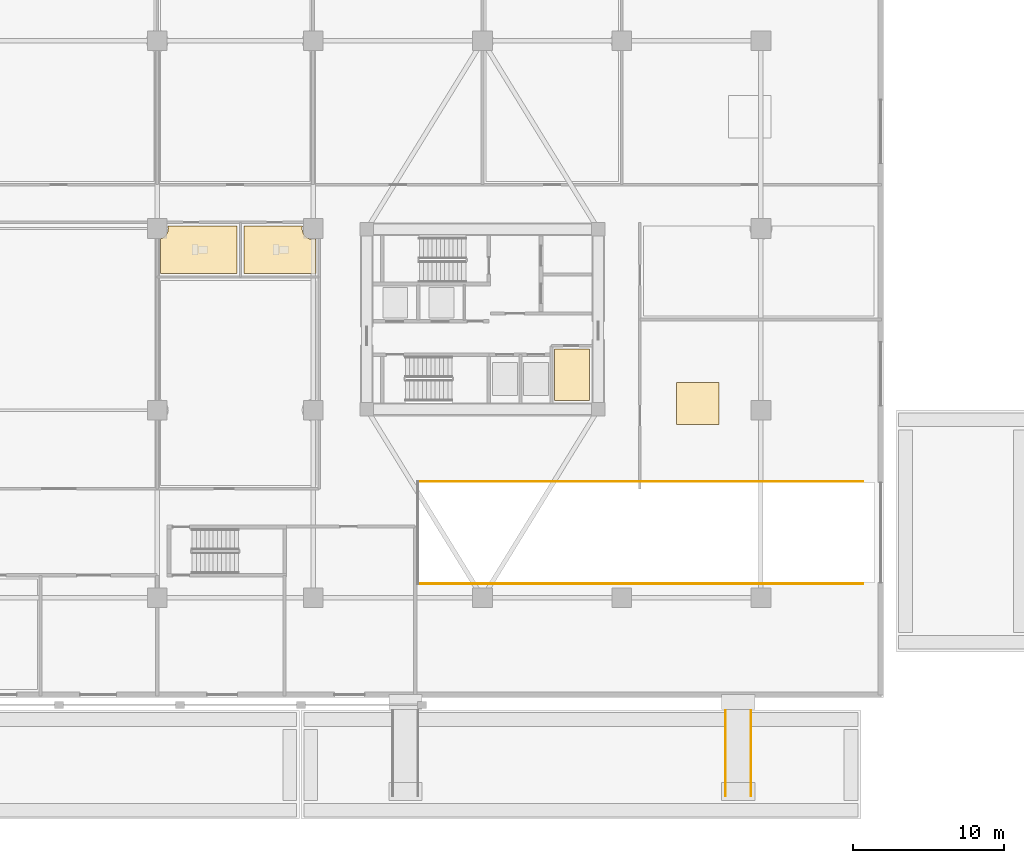
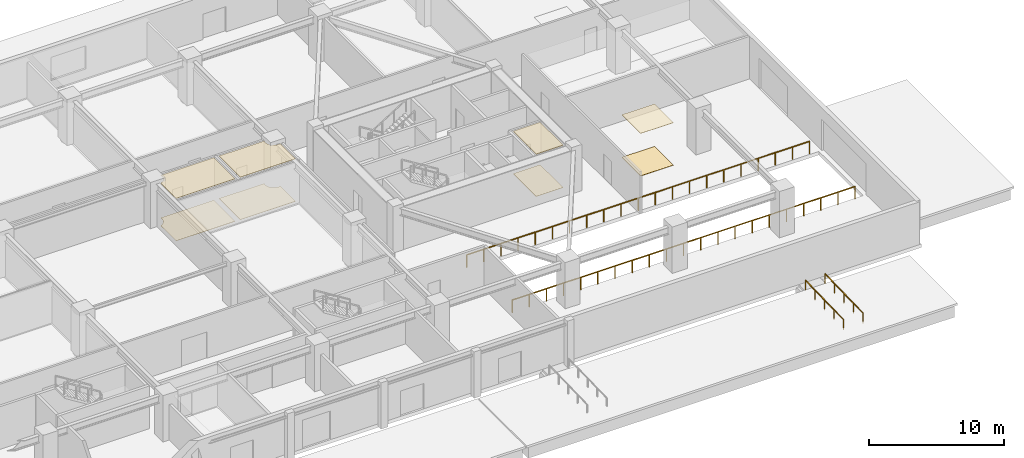
# One storey, part 18 of 22: 8 coverings, 4 railings.
"""IFC4 building model written with IfcOpenShell, lengths in metres."""

from ifc_helpers import new_model, si_unit, direction, frame, origin, origin_2d, place, context, subcontext, project, spatial, polyline, rectangle, outline, extrude, material, layer, layer_set, type_object, element, save


model = new_model("IFC4")

# Units and contexts
model_context = context("Model", 3, precision=1e-05, world=origin(), true_north=direction((0.0, 1.0)))
body_context = subcontext(model_context, "Body", "Model", "MODEL_VIEW")
ifc_project = project(units=[si_unit("LENGTHUNIT", "METRE"), si_unit("AREAUNIT", "SQUARE_METRE"), si_unit("VOLUMEUNIT", "CUBIC_METRE"), si_unit("PLANEANGLEUNIT", "RADIAN"), si_unit("MASSUNIT", "GRAM", prefix="KILO")], contexts=[model_context])

# Site, building, storey
site_placement = place(None, origin())
site = spatial("IfcSite", under=ifc_project, at=site_placement, CompositionType="ELEMENT")
building_placement = place(site_placement, origin())
building = spatial("IfcBuilding", under=site, at=building_placement, Name="Norrkilde Senior Care Towers", CompositionType="ELEMENT")
storey_placement = place(building_placement, origin())
storey = spatial("IfcBuildingStorey", under=building, at=storey_placement, Name="L00", CompositionType="ELEMENT", Elevation=0.0)

# Coverings
ifc_material_1 = material(Name="Nordic Ash Timber", Category="wood")
ifc_layer_1 = layer(ifc_material_1, 0.044921875)
ifc_layer_set_1 = layer_set([ifc_layer_1], Name="Nordic Ash Timber")
covering_type_1 = type_object("IfcCoveringType", Name="Acoustic Ash Timber Slatted Ceiling 45", PredefinedType="CEILING", material=ifc_layer_set_1)
covering_1_placement = place(storey_placement, frame((0.0, 0.0, 3.8349609375)))
element("IfcCovering", 1, at=covering_1_placement, inside=storey, type_object=covering_type_1, Name="L00 Suspended Ceiling 0002", PredefinedType="CEILING", context=body_context, shape_type="SweptSolid", body=[
    extrude(outline(polyline([(35.080078125, -1.969970703125), (35.080078125, -5.3798828125), (32.77001953125, -5.3798828125), (32.77001953125, -1.969970703125), (35.080078125, -1.969970703125)])), origin(), (0.0, 0.0, 1.0), 0.044921875),
])
ifc_material_2 = material(Name="Gypsum Acoustic Board")
ifc_layer_2 = layer(ifc_material_2, 0.030029296875)
ifc_layer_set_2 = layer_set([ifc_layer_2], Name="Gypsum Acoustic Board")
covering_type_2 = type_object("IfcCoveringType", Name="Medical Cleanable Gypsum Ceiling 30", PredefinedType="CEILING", material=ifc_layer_set_2)
covering_2_placement = place(storey_placement, frame((0.0, 0.0, 3.85009765625)))
element("IfcCovering", 2, at=covering_2_placement, inside=storey, type_object=covering_type_2, Name="L00 Suspended Ceiling 0005", PredefinedType="CEILING", context=body_context, shape_type="SweptSolid", body=[
    extrude(outline(polyline([(40.822998046875, -6.95947265625), (40.822998046875, -4.159423828125), (43.622802734375, -4.159423828125), (43.622802734375, -6.95947265625), (40.822998046875, -6.95947265625)])), origin(), (0.0, 0.0, 1.0), 0.02978515625),
])
covering_3_placement = place(storey_placement, frame((0.0, 0.0, 3.85009765625)))
element("IfcCovering", 3, at=covering_3_placement, inside=storey, type_object=covering_type_2, Name="L00 Suspended Ceiling 0009", PredefinedType="CEILING", context=body_context, shape_type="SweptSolid", body=[
    extrude(outline(polyline([(11.780029296875, 3.02001953125), (6.719970703125, 3.02001953125), (6.719970703125, 5.307861328125), (6.864990234375, 5.367919921875), (7.01611328125, 5.48388671875), (7.132080078125, 5.635009765625), (7.205078125, 5.81103515625), (7.22998046875, 6.0), (7.206298828125, 6.179931640625), (11.780029296875, 6.179931640625), (11.780029296875, 3.02001953125)])), origin(), (0.0, 0.0, 1.0), 0.02978515625),
])
covering_4_placement = place(storey_placement, frame((0.0, 0.0, 3.85009765625)))
element("IfcCovering", 4, at=covering_4_placement, inside=storey, type_object=covering_type_2, Name="L00 Suspended Ceiling 0010", PredefinedType="CEILING", context=body_context, shape_type="SweptSolid", body=[
    extrude(outline(polyline([(16.97998046875, 3.02001953125), (12.219970703125, 3.02001953125), (12.219970703125, 6.179931640625), (16.09375, 6.179931640625), (16.070068359375, 6.0), (16.094970703125, 5.81103515625), (16.167724609375, 5.635009765625), (16.28369140625, 5.48388671875), (16.43505859375, 5.367919921875), (16.611083984375, 5.294921875), (16.800048828125, 5.27001953125), (16.97998046875, 5.293701171875), (16.97998046875, 3.02001953125)])), origin(), (0.0, 0.0, 1.0), 0.02978515625),
])
ifc_material_3 = material(Name="Slip-Resistant Porcelain Stone", Category="masonry")
ifc_layer_3 = layer(ifc_material_3, 0.02490234375)
ifc_layer_set_3 = layer_set([ifc_layer_3], Name="Slip-Resistant Porcelain Stone")
covering_type_3 = type_object("IfcCoveringType", Name="Slip-Resistant Porcelain Flooring 25", PredefinedType="FLOORING", material=ifc_layer_set_3)
covering_5_placement = place(storey_placement, origin())
element("IfcCovering", 5, at=covering_5_placement, inside=storey, type_object=covering_type_3, Name="L00 Floor Finish 0002", PredefinedType="FLOORING", context=body_context, shape_type="SweptSolid", body=[
    extrude(outline(polyline([(35.080078125, -1.969970703125), (35.080078125, -5.3798828125), (32.77001953125, -5.3798828125), (32.77001953125, -1.969970703125), (35.080078125, -1.969970703125)])), origin(), (0.0, 0.0, 1.0), 0.02490234375),
])
covering_6_placement = place(storey_placement, origin())
element("IfcCovering", 6, at=covering_6_placement, inside=storey, type_object=covering_type_3, Name="L00 Floor Finish 0005", PredefinedType="FLOORING", context=body_context, shape_type="SweptSolid", body=[
    extrude(outline(polyline([(40.822998046875, -6.95947265625), (40.822998046875, -4.159423828125), (43.622802734375, -4.159423828125), (43.622802734375, -6.95947265625), (40.822998046875, -6.95947265625)])), origin(), (0.0, 0.0, 1.0), 0.02490234375),
])
covering_7_placement = place(storey_placement, origin())
element("IfcCovering", 7, at=covering_7_placement, inside=storey, type_object=covering_type_3, Name="L00 Floor Finish 0009", PredefinedType="FLOORING", context=body_context, shape_type="SweptSolid", body=[
    extrude(outline(polyline([(11.780029296875, 3.02001953125), (6.719970703125, 3.02001953125), (6.719970703125, 5.307861328125), (6.864990234375, 5.367919921875), (7.01611328125, 5.48388671875), (7.132080078125, 5.635009765625), (7.205078125, 5.81103515625), (7.22998046875, 6.0), (7.206298828125, 6.179931640625), (11.780029296875, 6.179931640625), (11.780029296875, 3.02001953125)])), origin(), (0.0, 0.0, 1.0), 0.02490234375),
])
covering_8_placement = place(storey_placement, origin())
element("IfcCovering", 8, at=covering_8_placement, inside=storey, type_object=covering_type_3, Name="L00 Floor Finish 0010", PredefinedType="FLOORING", context=body_context, shape_type="SweptSolid", body=[
    extrude(outline(polyline([(16.97998046875, 3.02001953125), (12.219970703125, 3.02001953125), (12.219970703125, 6.179931640625), (16.09375, 6.179931640625), (16.070068359375, 6.0), (16.094970703125, 5.81103515625), (16.167724609375, 5.635009765625), (16.28369140625, 5.48388671875), (16.43505859375, 5.367919921875), (16.611083984375, 5.294921875), (16.800048828125, 5.27001953125), (16.97998046875, 5.293701171875), (16.97998046875, 3.02001953125)])), origin(), (0.0, 0.0, 1.0), 0.02490234375),
])

# Railings
ifc_material_4 = material(Name="Stainless Steel", Category="steel")
railing_type_1 = type_object("IfcRailingType", Name="Stair and Terrace Guardrail 1100", PredefinedType="GUARDRAIL", material=ifc_material_4)
railing_1_placement = place(storey_placement, frame((23.719970703125, -10.719970703125, 0.0)))
element("IfcRailing", 9, at=railing_1_placement, inside=storey, type_object=railing_type_1, Name="L00 Ramp Well Guard 1-N", PredefinedType="GUARDRAIL", context=body_context, shape_type="SweptSolid", body=[
    extrude(rectangle(XDim=0.048095703125, YDim=0.048095703125, at=origin_2d()), frame((0.0, 0.0, 1.1259765625), z_axis=(1.0, 0.0, 0.0), x_axis=(0.0, 1.0, 0.0)), (0.0, 0.0, 1.0), 29.429931640625),
    extrude(rectangle(XDim=0.0419921875, YDim=0.0419921875, at=origin_2d()), origin(), (0.0, 0.0, 1.0), 1.099853515625),
    extrude(rectangle(XDim=0.0419921875, YDim=0.0419921875, at=origin_2d()), frame((1.471435546875, 0.0, 0.0)), (0.0, 0.0, 1.0), 1.099853515625),
    extrude(rectangle(XDim=0.0419921875, YDim=0.0419921875, at=origin_2d()), frame((2.94287109375, 0.0, 0.0)), (0.0, 0.0, 1.0), 1.099853515625),
    extrude(rectangle(XDim=0.0419921875, YDim=0.0419921875, at=origin_2d()), frame((4.41455078125, 0.0, 0.0)), (0.0, 0.0, 1.0), 1.099853515625),
    extrude(rectangle(XDim=0.0419921875, YDim=0.0419921875, at=origin_2d()), frame((5.885986328125, 0.0, 0.0)), (0.0, 0.0, 1.0), 1.099853515625),
    extrude(rectangle(XDim=0.0419921875, YDim=0.0419921875, at=origin_2d()), frame((7.357421875, 0.0, 0.0)), (0.0, 0.0, 1.0), 1.099853515625),
    extrude(rectangle(XDim=0.0419921875, YDim=0.0419921875, at=origin_2d()), frame((8.8291015625, 0.0, 0.0)), (0.0, 0.0, 1.0), 1.099853515625),
    extrude(rectangle(XDim=0.0419921875, YDim=0.0419921875, at=origin_2d()), frame((10.300537109375, 0.0, 0.0)), (0.0, 0.0, 1.0), 1.099853515625),
    extrude(rectangle(XDim=0.0419921875, YDim=0.0419921875, at=origin_2d()), frame((11.77197265625, 0.0, 0.0)), (0.0, 0.0, 1.0), 1.099853515625),
    extrude(rectangle(XDim=0.0419921875, YDim=0.0419921875, at=origin_2d()), frame((13.243408203125, 0.0, 0.0)), (0.0, 0.0, 1.0), 1.099853515625),
    extrude(rectangle(XDim=0.0419921875, YDim=0.0419921875, at=origin_2d()), frame((14.71484375, 0.0, 0.0)), (0.0, 0.0, 1.0), 1.099853515625),
    extrude(rectangle(XDim=0.0419921875, YDim=0.0419921875, at=origin_2d()), frame((16.1865234375, 0.0, 0.0)), (0.0, 0.0, 1.0), 1.099853515625),
    extrude(rectangle(XDim=0.0419921875, YDim=0.0419921875, at=origin_2d()), frame((17.657958984375, 0.0, 0.0)), (0.0, 0.0, 1.0), 1.099853515625),
    extrude(rectangle(XDim=0.0419921875, YDim=0.0419921875, at=origin_2d()), frame((19.12939453125, 0.0, 0.0)), (0.0, 0.0, 1.0), 1.099853515625),
    extrude(rectangle(XDim=0.0419921875, YDim=0.0419921875, at=origin_2d()), frame((20.60107421875, 0.0, 0.0)), (0.0, 0.0, 1.0), 1.099853515625),
    extrude(rectangle(XDim=0.0419921875, YDim=0.0419921875, at=origin_2d()), frame((22.072509765625, 0.0, 0.0)), (0.0, 0.0, 1.0), 1.099853515625),
    extrude(rectangle(XDim=0.0419921875, YDim=0.0419921875, at=origin_2d()), frame((23.5439453125, 0.0, 0.0)), (0.0, 0.0, 1.0), 1.099853515625),
    extrude(rectangle(XDim=0.0419921875, YDim=0.0419921875, at=origin_2d()), frame((25.015380859375, 0.0, 0.0)), (0.0, 0.0, 1.0), 1.099853515625),
    extrude(rectangle(XDim=0.0419921875, YDim=0.0419921875, at=origin_2d()), frame((26.48681640625, 0.0, 0.0)), (0.0, 0.0, 1.0), 1.099853515625),
    extrude(rectangle(XDim=0.0419921875, YDim=0.0419921875, at=origin_2d()), frame((27.95849609375, 0.0, 0.0)), (0.0, 0.0, 1.0), 1.099853515625),
    extrude(rectangle(XDim=0.0419921875, YDim=0.0419921875, at=origin_2d()), frame((29.429931640625, 0.0, 0.0)), (0.0, 0.0, 1.0), 1.099853515625),
])
railing_2_placement = place(storey_placement, frame((23.719970703125, -17.47998046875, 0.0)))
element("IfcRailing", 10, at=railing_2_placement, inside=storey, type_object=railing_type_1, Name="L00 Ramp Well Guard 1-S", PredefinedType="GUARDRAIL", context=body_context, shape_type="SweptSolid", body=[
    extrude(rectangle(XDim=0.048095703125, YDim=0.048095703125, at=origin_2d()), frame((0.0, 0.0, 1.1259765625), z_axis=(1.0, 0.0, 0.0), x_axis=(0.0, 1.0, 0.0)), (0.0, 0.0, 1.0), 29.429931640625),
    extrude(rectangle(XDim=0.0419921875, YDim=0.0419921875, at=origin_2d()), origin(), (0.0, 0.0, 1.0), 1.099853515625),
    extrude(rectangle(XDim=0.0419921875, YDim=0.0419921875, at=origin_2d()), frame((1.471435546875, 0.0, 0.0)), (0.0, 0.0, 1.0), 1.099853515625),
    extrude(rectangle(XDim=0.0419921875, YDim=0.0419921875, at=origin_2d()), frame((2.94287109375, 0.0, 0.0)), (0.0, 0.0, 1.0), 1.099853515625),
    extrude(rectangle(XDim=0.0419921875, YDim=0.0419921875, at=origin_2d()), frame((4.41455078125, 0.0, 0.0)), (0.0, 0.0, 1.0), 1.099853515625),
    extrude(rectangle(XDim=0.0419921875, YDim=0.0419921875, at=origin_2d()), frame((5.885986328125, 0.0, 0.0)), (0.0, 0.0, 1.0), 1.099853515625),
    extrude(rectangle(XDim=0.0419921875, YDim=0.0419921875, at=origin_2d()), frame((7.357421875, 0.0, 0.0)), (0.0, 0.0, 1.0), 1.099853515625),
    extrude(rectangle(XDim=0.0419921875, YDim=0.0419921875, at=origin_2d()), frame((8.8291015625, 0.0, 0.0)), (0.0, 0.0, 1.0), 1.099853515625),
    extrude(rectangle(XDim=0.0419921875, YDim=0.0419921875, at=origin_2d()), frame((10.300537109375, 0.0, 0.0)), (0.0, 0.0, 1.0), 1.099853515625),
    extrude(rectangle(XDim=0.0419921875, YDim=0.0419921875, at=origin_2d()), frame((11.77197265625, 0.0, 0.0)), (0.0, 0.0, 1.0), 1.099853515625),
    extrude(rectangle(XDim=0.0419921875, YDim=0.0419921875, at=origin_2d()), frame((13.243408203125, 0.0, 0.0)), (0.0, 0.0, 1.0), 1.099853515625),
    extrude(rectangle(XDim=0.0419921875, YDim=0.0419921875, at=origin_2d()), frame((14.71484375, 0.0, 0.0)), (0.0, 0.0, 1.0), 1.099853515625),
    extrude(rectangle(XDim=0.0419921875, YDim=0.0419921875, at=origin_2d()), frame((16.1865234375, 0.0, 0.0)), (0.0, 0.0, 1.0), 1.099853515625),
    extrude(rectangle(XDim=0.0419921875, YDim=0.0419921875, at=origin_2d()), frame((17.657958984375, 0.0, 0.0)), (0.0, 0.0, 1.0), 1.099853515625),
    extrude(rectangle(XDim=0.0419921875, YDim=0.0419921875, at=origin_2d()), frame((19.12939453125, 0.0, 0.0)), (0.0, 0.0, 1.0), 1.099853515625),
    extrude(rectangle(XDim=0.0419921875, YDim=0.0419921875, at=origin_2d()), frame((20.60107421875, 0.0, 0.0)), (0.0, 0.0, 1.0), 1.099853515625),
    extrude(rectangle(XDim=0.0419921875, YDim=0.0419921875, at=origin_2d()), frame((22.072509765625, 0.0, 0.0)), (0.0, 0.0, 1.0), 1.099853515625),
    extrude(rectangle(XDim=0.0419921875, YDim=0.0419921875, at=origin_2d()), frame((23.5439453125, 0.0, 0.0)), (0.0, 0.0, 1.0), 1.099853515625),
    extrude(rectangle(XDim=0.0419921875, YDim=0.0419921875, at=origin_2d()), frame((25.015380859375, 0.0, 0.0)), (0.0, 0.0, 1.0), 1.099853515625),
    extrude(rectangle(XDim=0.0419921875, YDim=0.0419921875, at=origin_2d()), frame((26.48681640625, 0.0, 0.0)), (0.0, 0.0, 1.0), 1.099853515625),
    extrude(rectangle(XDim=0.0419921875, YDim=0.0419921875, at=origin_2d()), frame((27.95849609375, 0.0, 0.0)), (0.0, 0.0, 1.0), 1.099853515625),
    extrude(rectangle(XDim=0.0419921875, YDim=0.0419921875, at=origin_2d()), frame((29.429931640625, 0.0, 0.0)), (0.0, 0.0, 1.0), 1.099853515625),
])
railing_type_2 = type_object("IfcRailingType", Name="Wall and Stair Handrail 900", PredefinedType="HANDRAIL", material=ifc_material_1)
for number, where, name in (
    (11, (44.06005859375, -31.5, -0.159912109375), "L00 Accessible Ramp 4 W Handrail"),
    (12, (45.739990234375, -31.5, -0.159912109375), "L00 Accessible Ramp 4 E Handrail"),
):
    element("IfcRailing", number, at=place(storey_placement, frame(where)), inside=storey, type_object=railing_type_2, Name=name, PredefinedType="HANDRAIL", context=body_context, shape_type="SweptSolid", body=[
        extrude(rectangle(XDim=0.048095703125, YDim=0.048095703125, at=origin_2d()), frame((0.0, 0.0, 0.89599609375), z_axis=(0.0, 0.999693607707, 0.024752589976), x_axis=(-1.0, 0.0, 0.0)), (0.0, 0.0, 1.0), 5.651611328125),
        extrude(rectangle(XDim=0.0419921875, YDim=0.0419921875, at=origin_2d()), origin(), (0.0, 0.0, 1.0), 0.869873046875),
        extrude(rectangle(XDim=0.0419921875, YDim=0.0419921875, at=origin_2d()), frame((0.0, 1.41259765625, 0.034912109375)), (0.0, 0.0, 1.0), 0.869873046875),
        extrude(rectangle(XDim=0.0419921875, YDim=0.0419921875, at=origin_2d()), frame((0.0, 2.824951171875, 0.06982421875)), (0.0, 0.0, 1.0), 0.869873046875),
        extrude(rectangle(XDim=0.0419921875, YDim=0.0419921875, at=origin_2d()), frame((0.0, 4.2373046875, 0.10498046875)), (0.0, 0.0, 1.0), 0.869873046875),
        extrude(rectangle(XDim=0.0419921875, YDim=0.0419921875, at=origin_2d()), frame((0.0, 5.64990234375, 0.139892578125)), (0.0, 0.0, 1.0), 0.869873046875),
    ])

save(model, "model.ifc")
